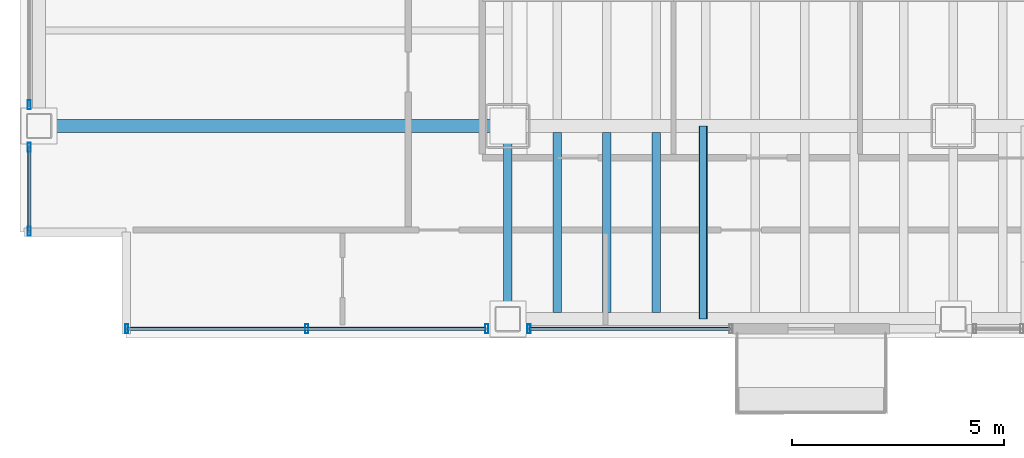
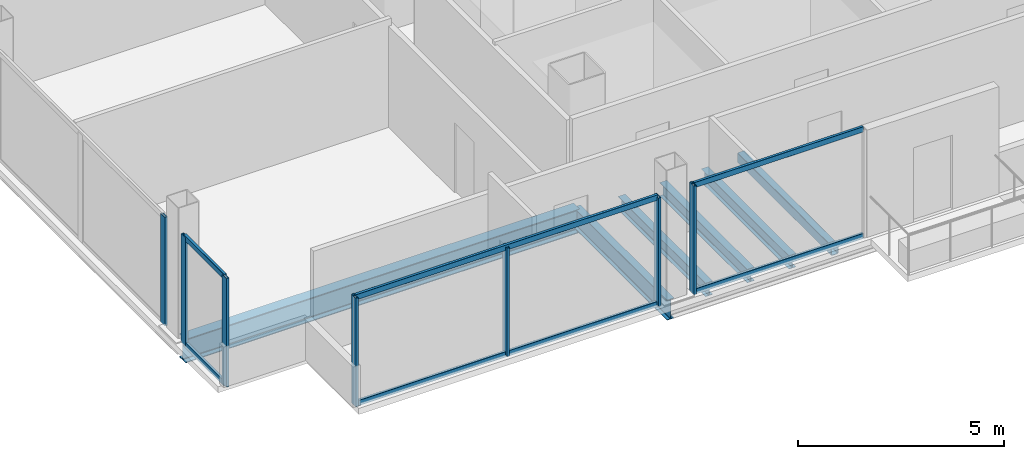
# One storey, part 2 of 21: 13 members, 6 beams, 4 elements without a shape of their own.
"""IFC4 building model written with IfcOpenShell, lengths in metres."""

import ifcopenshell
import ifcopenshell.guid

model = None  # the IFC model being written
_history = None  # IfcOwnerHistory: only IFC2X3 demands one
_inside = {}  # id of a spatial element -> (the spatial element, [elements in it])
_under = {}  # id of a project, library or spatial element -> (it, [spatial elements below it])
_declared = {}  # id of a project -> (the project, [libraries it declares])
_typed = {}  # id of a type object -> (the type object, [elements of that type])
_made_of = {}  # id of a material, layer set ... -> (it, [elements and type objects made of it])


def new_model(schema):
    """Start an empty IFC model of exactly this schema.

    Asked for "IFC4X3", IfcOpenShell would pick the latest addendum, in which some entities
    have other attributes; the version numbers below select the first issue.
    IFC2X3 requires an IfcOwnerHistory on every rooted entity: one is made here for all.
    """
    global model, _history
    if schema == "IFC4X3":
        model = ifcopenshell.file(schema_version=(4, 3, 0, 0))
    else:
        model = ifcopenshell.file(schema=schema)
    _inside.clear()
    _under.clear()
    _declared.clear()
    _typed.clear()
    _made_of.clear()
    _history = None
    if model.schema == "IFC2X3":
        org = make("IfcOrganization", Name="unknown")
        user = make(
            "IfcPersonAndOrganization",
            ThePerson=make("IfcPerson", FamilyName="unknown"),
            TheOrganization=org,
        )
        app = make(
            "IfcApplication",
            ApplicationDeveloper=org,
            Version="unknown",
            ApplicationFullName="unknown",
            ApplicationIdentifier="unknown",
        )
        _history = make(
            "IfcOwnerHistory",
            OwningUser=user,
            OwningApplication=app,
            ChangeAction="ADDED",
            CreationDate=0,
        )
    return model


def make(cls, **values):
    """One entity of the class cls with the attributes given. An attribute that is None is left unset."""
    return model.create_entity(
        cls, **{name: value for name, value in values.items() if value is not None}
    )


def rooted(cls, **values):
    """An entity with a GlobalId (a new one), such as an element, a storey or a relation."""
    return make(cls, GlobalId=ifcopenshell.guid.new(), OwnerHistory=_history, **values)


def si_unit(unit_type, name, prefix=None):
    """IfcSIUnit, for example si_unit("LENGTHUNIT", "METRE", prefix="MILLI")."""
    return make("IfcSIUnit", UnitType=unit_type, Prefix=prefix, Name=name)


def assignment(units):
    """IfcUnitAssignment: the units of a project."""
    return None if units is None else make("IfcUnitAssignment", Units=units)


def point(xyz):
    """IfcCartesianPoint."""
    return None if xyz is None else make("IfcCartesianPoint", Coordinates=xyz)


def direction(xyz):
    """IfcDirection."""
    return None if xyz is None else make("IfcDirection", DirectionRatios=xyz)


def frame(location, z_axis=None, x_axis=None):
    """IfcAxis2Placement3D, a coordinate frame: its origin and axes. An axis left out is left unset."""
    return make(
        "IfcAxis2Placement3D",
        Location=point(location),
        Axis=direction(z_axis),
        RefDirection=direction(x_axis),
    )


def frame_2d(location, x_axis=None):
    """IfcAxis2Placement2D, a coordinate frame in the plane: its origin and x axis."""
    return make(
        "IfcAxis2Placement2D", Location=point(location), RefDirection=direction(x_axis)
    )


def origin():
    """The frame at (0, 0, 0) with its axes left unset."""
    return frame((0.0, 0.0, 0.0))


def origin_2d():
    """The frame at (0, 0) in the plane with its x axis left unset."""
    return frame_2d((0.0, 0.0))


def place(relative_to, where):
    """IfcLocalPlacement: puts the frame where relative to a parent placement (None: the world)."""
    return make(
        "IfcLocalPlacement", PlacementRelTo=relative_to, RelativePlacement=where
    )


def context(
    kind, dimensions, precision=None, world=None, true_north=None, identifier=None
):
    """IfcGeometricRepresentationContext, for example the 3D "Model" context."""
    return make(
        "IfcGeometricRepresentationContext",
        ContextIdentifier=identifier,
        ContextType=kind,
        CoordinateSpaceDimension=dimensions,
        Precision=precision,
        WorldCoordinateSystem=world,
        TrueNorth=true_north,
    )


def subcontext(parent, identifier, kind, view, scale=None):
    """IfcGeometricRepresentationSubContext, for example "Body" below "Model"."""
    return make(
        "IfcGeometricRepresentationSubContext",
        ContextIdentifier=identifier,
        ContextType=kind,
        ParentContext=parent,
        TargetScale=scale,
        TargetView=view,
    )


def project(units=None, contexts=None):
    """IfcProject with its units and contexts."""
    return rooted(
        "IfcProject",
        Name="project",
        RepresentationContexts=contexts,
        UnitsInContext=assignment(units),
    )


def spatial(cls, under=None, at=None, **own):
    """A site, building, storey or space (cls), placed at a placement, below another one or the project."""
    s = rooted(cls, ObjectPlacement=at, **own)
    if under is not None:
        _under.setdefault(under.id(), (under, []))[1].append(s)
    return s


def profile(cls, at=None, kind="AREA", **sizes):
    """A parametric profile (cls). Its sizes go by their IFC names, for example OverallWidth=200.0."""
    return make(cls, ProfileType=kind, Position=at, **sizes)


def hollow_rectangle(**sizes):
    """IfcRectangleHollowProfileDef."""
    return profile("IfcRectangleHollowProfileDef", **sizes)


def i_section(**sizes):
    """IfcIShapeProfileDef."""
    return profile("IfcIShapeProfileDef", **sizes)


def extrude(swept, where, along, depth):
    """IfcExtrudedAreaSolid: the profile swept, set in the frame where, extruded along a direction by depth."""
    return make(
        "IfcExtrudedAreaSolid",
        SweptArea=swept,
        Position=where,
        ExtrudedDirection=direction(along),
        Depth=depth,
    )


def shape(context_of_items, identifier, shape_type, items):
    """IfcShapeRepresentation: the items that make up one representation, for example the "Body"."""
    return make(
        "IfcShapeRepresentation",
        ContextOfItems=context_of_items,
        RepresentationIdentifier=identifier,
        RepresentationType=shape_type,
        Items=items,
    )


def material(Name=None, Category=None):
    """IfcMaterial."""
    return make("IfcMaterial", Name=Name, Category=Category)


def material_profile(
    of_material, cross_section, Name=None, Category=None, Priority=None
):
    """IfcMaterialProfile: a cross section and its material."""
    return make(
        "IfcMaterialProfile",
        Name=Name,
        Material=of_material,
        Profile=cross_section,
        Priority=Priority,
        Category=Category,
    )


def profile_set(profiles, Name=None, composite=None):
    """IfcMaterialProfileSet."""
    return make(
        "IfcMaterialProfileSet",
        Name=Name,
        MaterialProfiles=profiles,
        CompositeProfile=composite,
    )


def made_of(thing, what):
    """Note that an element or type object is made of a material, layer set ...; save() writes the relation."""
    if what is not None:
        _made_of.setdefault(what.id(), (what, []))[1].append(thing)
    return thing


def type_object(cls, material=None, **own):
    """A type object (cls), such as IfcWallType, which elements share."""
    return made_of(rooted(cls, **own), material)


def element(
    cls,
    number,
    at=None,
    inside=None,
    cuts=None,
    type_object=None,
    material=None,
    context=None,
    identifier="Body",
    shape_type=None,
    held_by="IfcProductDefinitionShape",
    body=None,
    shapes=None,
    **own,
):
    """One element of the class cls, such as IfcWall. Its Tag is "e" and its number.

    at: its placement. inside: the storey or other place that contains it. cuts: it is an
    opening in that element (IfcRelVoidsElement). A single representation is given by context,
    identifier, shape_type and body (its items); several are given by shapes. held_by: the class
    of the entity that holds the representations. save() writes the other relations.
    """
    e = rooted(cls, Tag="e%d" % number, ObjectPlacement=at, **own)
    if body is not None:
        shapes = [shape(context, identifier, shape_type, body)]
    if shapes is not None:
        e.Representation = make(held_by, Representations=shapes)
    if inside is not None:
        _inside.setdefault(inside.id(), (inside, []))[1].append(e)
    if cuts is not None:
        rooted(
            "IfcRelVoidsElement", RelatingBuildingElement=cuts, RelatedOpeningElement=e
        )
    if type_object is not None:
        _typed.setdefault(type_object.id(), (type_object, []))[1].append(e)
    return made_of(e, material)


def aggregate(whole, parts):
    """IfcRelAggregates: a whole, such as a stair, and the parts it consists of."""
    return rooted("IfcRelAggregates", RelatingObject=whole, RelatedObjects=parts)


def save(model, path):
    """Write the relations noted so far, then the file.

    IfcRelAggregates (storeys below a building ...), IfcRelContainedInSpatialStructure (elements
    in a storey), IfcRelDefinesByType, IfcRelAssociatesMaterial and IfcRelDeclares: one each for
    every whole, place, type object, material and project.
    """
    for whole, parts in _under.values():
        aggregate(whole, parts)
    for where, things in _inside.values():
        rooted(
            "IfcRelContainedInSpatialStructure",
            RelatedElements=things,
            RelatingStructure=where,
        )
    for kind, things in _typed.values():
        rooted("IfcRelDefinesByType", RelatedObjects=things, RelatingType=kind)
    for what, things in _made_of.values():
        rooted("IfcRelAssociatesMaterial", RelatedObjects=things, RelatingMaterial=what)
    for by, libraries in _declared.values():
        rooted("IfcRelDeclares", RelatingContext=by, RelatedDefinitions=libraries)
    model.write(path)


model = new_model("IFC4")

# Units and contexts
model_context = context("Model", 3, precision=1e-05, world=origin(), true_north=direction((0.0, 1.0)))
body_context = subcontext(model_context, "Body", "Model", "MODEL_VIEW")
ifc_project = project(units=[si_unit("LENGTHUNIT", "METRE"), si_unit("AREAUNIT", "SQUARE_METRE"), si_unit("VOLUMEUNIT", "CUBIC_METRE"), si_unit("PLANEANGLEUNIT", "RADIAN"), si_unit("MASSUNIT", "GRAM", prefix="KILO")], contexts=[model_context])

# Site, building, storey
site_placement = place(None, origin())
site = spatial("IfcSite", under=ifc_project, at=site_placement, CompositionType="ELEMENT")
building_placement = place(site_placement, origin())
building = spatial("IfcBuilding", under=site, at=building_placement, Name="Noeulbin Bourse Tower", CompositionType="ELEMENT")
storey_placement = place(building_placement, frame((0.0, 0.0, 30.39990234375)))
storey = spatial("IfcBuildingStorey", under=building, at=storey_placement, Name="L07", CompositionType="ELEMENT", Elevation=30.39990234375)

# Beams
ifc_material_1 = material(Name="Steel S355", Category="steel")
ifc_material_profile_1 = material_profile(ifc_material_1, hollow_rectangle(XDim=0.199951171875, YDim=0.300048828125, WallThickness=0.011962890625, InnerFilletRadius=0.011962890625, OuterFilletRadius=0.02392578125, at=origin_2d()), Name="RHS-300x200x12", Category="LoadBearing")
ifc_profile_set_1 = profile_set([ifc_material_profile_1], Name="Steel S355")
beam_type_1 = type_object("IfcBeamType", Name="BM-BAL-300", PredefinedType="BEAM", material=ifc_profile_set_1)
beam_1_placement = place(storey_placement, frame((18.10009765625, 15.449951171875, -0.329833984375), z_axis=(0.0, 1.0, 0.0), x_axis=(-1.0, 0.0, 0.0)))
element("IfcBeam", 1, at=beam_1_placement, inside=storey, type_object=beam_type_1, Name="Balcony Back-Span Tie Beam L07", PredefinedType="BEAM", context=body_context, shape_type="SweptSolid", body=[
    extrude(hollow_rectangle(XDim=0.199951171875, YDim=0.300048828125, WallThickness=0.011962890625, InnerFilletRadius=0.011962890625, OuterFilletRadius=0.02392578125, at=origin_2d()), origin(), (0.0, 0.0, 1.0), 4.550048828125),
])
ifc_material_profile_2 = material_profile(ifc_material_1, i_section(OverallWidth=0.199951171875, OverallDepth=0.60009765625, WebThickness=0.010986328125, FlangeThickness=0.01708984375, FilletRadius=0.02197265625, at=origin_2d()), Name="H-600x200x11x17", Category="LoadBearing")
ifc_profile_set_2 = profile_set([ifc_material_profile_2], Name="Steel S355")
beam_type_2 = type_object("IfcBeamType", Name="BM-GRD-600", PredefinedType="USERDEFINED", material=ifc_profile_set_2)
beam_2_placement = place(storey_placement, frame((13.5, 15.449951171875, -0.47998046875), z_axis=(0.0, 1.0, 0.0), x_axis=(-1.0, 0.0, 0.0)))
element("IfcBeam", 2, at=beam_2_placement, inside=storey, type_object=beam_type_2, Name="Tower Primary Girder NS L07-1.1", ObjectType="GIRDER", PredefinedType="USERDEFINED", context=body_context, shape_type="SweptSolid", body=[
    extrude(i_section(OverallWidth=0.199951171875, OverallDepth=0.60009765625, WebThickness=0.010986328125, FlangeThickness=0.01708984375, FilletRadius=0.02197265625, at=origin_2d()), origin(), (0.0, 0.0, 1.0), 4.550048828125),
])
ifc_material_profile_3 = material_profile(ifc_material_1, i_section(OverallWidth=0.300048828125, OverallDepth=0.699951171875, WebThickness=0.012939453125, FlangeThickness=0.02392578125, FilletRadius=0.02392578125, at=origin_2d()), Name="H-700x300x13x24", Category="LoadBearing")
ifc_profile_set_3 = profile_set([ifc_material_profile_3], Name="Steel S355")
beam_type_3 = type_object("IfcBeamType", Name="BM-GRD-700", PredefinedType="USERDEFINED", material=ifc_profile_set_3)
beam_3_placement = place(storey_placement, frame((2.449951171875, 20.0, -0.52978515625), z_axis=(1.0, 0.0, 0.0), x_axis=(0.0, 1.0, 0.0)))
element("IfcBeam", 3, at=beam_3_placement, inside=storey, type_object=beam_type_3, Name="Tower Primary Girder EW L07-1.1", ObjectType="GIRDER", PredefinedType="USERDEFINED", context=body_context, shape_type="SweptSolid", body=[
    extrude(i_section(OverallWidth=0.300048828125, OverallDepth=0.699951171875, WebThickness=0.012939453125, FlangeThickness=0.02392578125, FilletRadius=0.02392578125, at=origin_2d()), origin(), (0.0, 0.0, 1.0), 11.050048828125),
])
ifc_material_profile_4 = material_profile(ifc_material_1, i_section(OverallWidth=0.199951171875, OverallDepth=0.39990234375, WebThickness=0.008056640625, FlangeThickness=0.012939453125, FilletRadius=0.01611328125, at=origin_2d()), Name="H-400x200x8x13", Category="LoadBearing")
ifc_profile_set_4 = profile_set([ifc_material_profile_4], Name="Steel S355")
beam_type_4 = type_object("IfcBeamType", Name="BM-SEC-400", PredefinedType="BEAM", material=ifc_profile_set_4)
for number, where, z_axis, x_axis, name in (
    (4, (14.666748046875, 15.60009765625, -0.3798828125), (0.0, 1.0, 0.0), (-1.0, 0.0, 0.0), "Tower Composite Joist L07-01"),
    (5, (15.833251953125, 15.60009765625, -0.3798828125), (0.0, 1.0, 0.0), (-1.0, 0.0, 0.0), "Tower Composite Joist L07-04"),
    (6, (17.0, 15.60009765625, -0.3798828125), (0.0, 1.0, 0.0), (-1.0, 0.0, 0.0), "Tower Composite Joist L07-07"),
):
    element("IfcBeam", number, at=place(storey_placement, frame(where, z_axis=z_axis, x_axis=x_axis)), inside=storey, type_object=beam_type_4, Name=name, PredefinedType="BEAM", context=body_context, shape_type="SweptSolid", body=[
        extrude(i_section(OverallWidth=0.199951171875, OverallDepth=0.39990234375, WebThickness=0.008056640625, FlangeThickness=0.012939453125, FilletRadius=0.01611328125, at=origin_2d()), origin(), (0.0, 0.0, 1.0), 4.25),
    ])

# Curtain wall, members
ifc_material_2 = material(Name="Dark Solar-Control Double Glazing", Category="glass")
curtain_wall_type = type_object("IfcCurtainWallType", Name="CW-SYS-2", PredefinedType="NOTDEFINED", material=ifc_material_2)
curtain_wall_1_placement = place(storey_placement, origin())
curtain_wall_1 = element("IfcCurtainWall", 7, at=curtain_wall_1_placement, inside=storey, type_object=curtain_wall_type, Name="Unitised Curtain Wall CW-L07-S1-S1", PredefinedType="NOTDEFINED")
ifc_material_3 = material(Name="Anodised Aluminium 6063-T6", Category="aluminium")
ifc_material_profile_5 = material_profile(ifc_material_3, hollow_rectangle(XDim=0.074951171875, YDim=0.219970703125, WallThickness=0.0048828125, InnerFilletRadius=0.00244140625, OuterFilletRadius=0.0048828125, at=origin_2d()), Name="ALU-MULL-75x220x5", Category="LoadBearing")
ifc_profile_set_5 = profile_set([ifc_material_profile_5], Name="Anodised Aluminium 6063-T6")
member_type_1 = type_object("IfcMemberType", Name="CW-SYS-2-MUL", PredefinedType="MULLION", material=ifc_profile_set_5)
member_1_placement = place(storey_placement, frame((4.52001953125, 15.219970703125, -0.02001953125), z_axis=(0.0, 0.0, 1.0), x_axis=(1.0, 0.0, 0.0)))
member_1 = element("IfcMember", 8, at=member_1_placement, type_object=member_type_1, Name="Curtain Wall Mullion CW-L07-S1-S1-M00", PredefinedType="MULLION", context=body_context, shape_type="SweptSolid", body=[
    extrude(hollow_rectangle(XDim=0.074951171875, YDim=0.219970703125, WallThickness=0.0048828125, InnerFilletRadius=0.00244140625, OuterFilletRadius=0.0048828125, at=origin_2d()), origin(), (0.0, 0.0, 1.0), 3.22021484375),
])
member_2_placement = place(storey_placement, frame((8.760009765625, 15.219970703125, -0.02001953125), z_axis=(0.0, 0.0, 1.0), x_axis=(1.0, 0.0, 0.0)))
member_2 = element("IfcMember", 9, at=member_2_placement, type_object=member_type_1, Name="Curtain Wall Mullion CW-L07-S1-S1-M01", PredefinedType="MULLION", context=body_context, shape_type="SweptSolid", body=[
    extrude(hollow_rectangle(XDim=0.074951171875, YDim=0.219970703125, WallThickness=0.0048828125, InnerFilletRadius=0.00244140625, OuterFilletRadius=0.0048828125, at=origin_2d()), origin(), (0.0, 0.0, 1.0), 3.22021484375),
])
member_3_placement = place(storey_placement, frame((13.0, 15.219970703125, -0.02001953125), z_axis=(0.0, 0.0, 1.0), x_axis=(1.0, 0.0, 0.0)))
member_3 = element("IfcMember", 10, at=member_3_placement, type_object=member_type_1, Name="Curtain Wall Mullion CW-L07-S1-S1-M02", PredefinedType="MULLION", context=body_context, shape_type="SweptSolid", body=[
    extrude(hollow_rectangle(XDim=0.074951171875, YDim=0.219970703125, WallThickness=0.0048828125, InnerFilletRadius=0.00244140625, OuterFilletRadius=0.0048828125, at=origin_2d()), origin(), (0.0, 0.0, 1.0), 3.22021484375),
])

# Curtain wall, member
curtain_wall_2_placement = place(storey_placement, origin())
curtain_wall_2 = element("IfcCurtainWall", 11, at=curtain_wall_2_placement, inside=storey, type_object=curtain_wall_type, Name="Unitised Curtain Wall CW-L07-S1-S2", PredefinedType="NOTDEFINED")
member_4_placement = place(storey_placement, frame((14.0, 15.219970703125, -0.02001953125), z_axis=(0.0, 0.0, 1.0), x_axis=(1.0, 0.0, 0.0)))
member_4 = element("IfcMember", 12, at=member_4_placement, type_object=member_type_1, Name="Curtain Wall Mullion CW-L07-S1-S2-M00", PredefinedType="MULLION", context=body_context, shape_type="SweptSolid", body=[
    extrude(hollow_rectangle(XDim=0.074951171875, YDim=0.219970703125, WallThickness=0.0048828125, InnerFilletRadius=0.00244140625, OuterFilletRadius=0.0048828125, at=origin_2d()), origin(), (0.0, 0.0, 1.0), 3.22021484375),
])

# Curtain wall, members
curtain_wall_3_placement = place(storey_placement, origin())
curtain_wall_3 = element("IfcCurtainWall", 13, at=curtain_wall_3_placement, inside=storey, type_object=curtain_wall_type, Name="Unitised Curtain Wall CW-L07-W-S1", PredefinedType="NOTDEFINED")
member_5_placement = place(storey_placement, frame((2.219970703125, 17.52001953125, -0.02001953125), z_axis=(0.0, 0.0, 1.0), x_axis=(1.0, 0.0, 0.0)))
member_5 = element("IfcMember", 14, at=member_5_placement, type_object=member_type_1, Name="Curtain Wall Mullion CW-L07-W-S1-M00", PredefinedType="MULLION", context=body_context, shape_type="SweptSolid", body=[
    extrude(hollow_rectangle(XDim=0.074951171875, YDim=0.219970703125, WallThickness=0.0048828125, InnerFilletRadius=0.00244140625, OuterFilletRadius=0.0048828125, at=origin_2d()), origin(), (0.0, 0.0, 1.0), 3.22021484375),
])
member_6_placement = place(storey_placement, frame((2.219970703125, 19.5, -0.02001953125), z_axis=(0.0, 0.0, 1.0), x_axis=(1.0, 0.0, 0.0)))
member_6 = element("IfcMember", 15, at=member_6_placement, type_object=member_type_1, Name="Curtain Wall Mullion CW-L07-W-S1-M01", PredefinedType="MULLION", context=body_context, shape_type="SweptSolid", body=[
    extrude(hollow_rectangle(XDim=0.074951171875, YDim=0.219970703125, WallThickness=0.0048828125, InnerFilletRadius=0.00244140625, OuterFilletRadius=0.0048828125, at=origin_2d()), origin(), (0.0, 0.0, 1.0), 3.22021484375),
])

# Curtain wall, member
curtain_wall_4_placement = place(storey_placement, origin())
curtain_wall_4 = element("IfcCurtainWall", 16, at=curtain_wall_4_placement, inside=storey, type_object=curtain_wall_type, Name="Unitised Curtain Wall CW-L07-W-S2", PredefinedType="NOTDEFINED")
member_7_placement = place(storey_placement, frame((2.219970703125, 20.5, -0.02001953125), z_axis=(0.0, 0.0, 1.0), x_axis=(1.0, 0.0, 0.0)))
member_7 = element("IfcMember", 17, at=member_7_placement, type_object=member_type_1, Name="Curtain Wall Mullion CW-L07-W-S2-M00", PredefinedType="MULLION", context=body_context, shape_type="SweptSolid", body=[
    extrude(hollow_rectangle(XDim=0.074951171875, YDim=0.219970703125, WallThickness=0.0048828125, InnerFilletRadius=0.00244140625, OuterFilletRadius=0.0048828125, at=origin_2d()), origin(), (0.0, 0.0, 1.0), 3.22021484375),
])
aggregate(curtain_wall_4, [member_7])

# Member
ifc_material_profile_6 = material_profile(ifc_material_3, hollow_rectangle(XDim=0.074951171875, YDim=0.159912109375, WallThickness=0.0048828125, InnerFilletRadius=0.00244140625, OuterFilletRadius=0.0048828125, at=origin_2d()), Name="ALU-TRAN-75x160x5", Category="LoadBearing")
ifc_profile_set_6 = profile_set([ifc_material_profile_6], Name="Anodised Aluminium 6063-T6")
member_type_2 = type_object("IfcMemberType", Name="CW-SYS-2-TRN", PredefinedType="USERDEFINED", material=ifc_profile_set_6)
member_8_placement = place(storey_placement, frame((4.530029296875, 15.219970703125, 0.010009765625), z_axis=(1.0, 0.0, 0.0), x_axis=(0.0, 1.0, 0.0)))
member_8 = element("IfcMember", 18, at=member_8_placement, type_object=member_type_2, Name="Curtain Wall Transom CW-L07-S1-S1-T00", ObjectType="TRANSOM", PredefinedType="USERDEFINED", context=body_context, shape_type="SweptSolid", body=[
    extrude(hollow_rectangle(XDim=0.074951171875, YDim=0.159912109375, WallThickness=0.0048828125, InnerFilletRadius=0.00244140625, OuterFilletRadius=0.0048828125, at=origin_2d()), origin(), (0.0, 0.0, 1.0), 8.4599609375),
])

member_9_placement = place(storey_placement, frame((4.530029296875, 15.219970703125, 3.170166015625), z_axis=(1.0, 0.0, 0.0), x_axis=(0.0, 1.0, 0.0)))
member_9 = element("IfcMember", 19, at=member_9_placement, type_object=member_type_2, Name="Curtain Wall Transom CW-L07-S1-S1-T01", ObjectType="TRANSOM", PredefinedType="USERDEFINED", context=body_context, shape_type="SweptSolid", body=[
    extrude(hollow_rectangle(XDim=0.074951171875, YDim=0.159912109375, WallThickness=0.0048828125, InnerFilletRadius=0.00244140625, OuterFilletRadius=0.0048828125, at=origin_2d()), origin(), (0.0, 0.0, 1.0), 8.4599609375),
])

aggregate(curtain_wall_1, [member_1, member_2, member_3, member_8, member_9])

member_10_placement = place(storey_placement, frame((14.010009765625, 15.219970703125, 0.010009765625), z_axis=(1.0, 0.0, 0.0), x_axis=(0.0, 1.0, 0.0)))
member_10 = element("IfcMember", 20, at=member_10_placement, type_object=member_type_2, Name="Curtain Wall Transom CW-L07-S1-S2-T00", ObjectType="TRANSOM", PredefinedType="USERDEFINED", context=body_context, shape_type="SweptSolid", body=[
    extrude(hollow_rectangle(XDim=0.074951171875, YDim=0.159912109375, WallThickness=0.0048828125, InnerFilletRadius=0.00244140625, OuterFilletRadius=0.0048828125, at=origin_2d()), origin(), (0.0, 0.0, 1.0), 4.739990234375),
])

member_11_placement = place(storey_placement, frame((14.010009765625, 15.219970703125, 3.170166015625), z_axis=(1.0, 0.0, 0.0), x_axis=(0.0, 1.0, 0.0)))
member_11 = element("IfcMember", 21, at=member_11_placement, type_object=member_type_2, Name="Curtain Wall Transom CW-L07-S1-S2-T01", ObjectType="TRANSOM", PredefinedType="USERDEFINED", context=body_context, shape_type="SweptSolid", body=[
    extrude(hollow_rectangle(XDim=0.074951171875, YDim=0.159912109375, WallThickness=0.0048828125, InnerFilletRadius=0.00244140625, OuterFilletRadius=0.0048828125, at=origin_2d()), origin(), (0.0, 0.0, 1.0), 4.739990234375),
])

aggregate(curtain_wall_2, [member_4, member_10, member_11])

member_12_placement = place(storey_placement, frame((2.219970703125, 17.530029296875, 0.010009765625), z_axis=(0.0, 1.0, 0.0), x_axis=(-1.0, 0.0, 0.0)))
member_12 = element("IfcMember", 22, at=member_12_placement, type_object=member_type_2, Name="Curtain Wall Transom CW-L07-W-S1-T00", ObjectType="TRANSOM", PredefinedType="USERDEFINED", context=body_context, shape_type="SweptSolid", body=[
    extrude(hollow_rectangle(XDim=0.074951171875, YDim=0.159912109375, WallThickness=0.0048828125, InnerFilletRadius=0.00244140625, OuterFilletRadius=0.0048828125, at=origin_2d()), origin(), (0.0, 0.0, 1.0), 1.9599609375),
])

member_13_placement = place(storey_placement, frame((2.219970703125, 17.530029296875, 3.170166015625), z_axis=(0.0, 1.0, 0.0), x_axis=(-1.0, 0.0, 0.0)))
member_13 = element("IfcMember", 23, at=member_13_placement, type_object=member_type_2, Name="Curtain Wall Transom CW-L07-W-S1-T01", ObjectType="TRANSOM", PredefinedType="USERDEFINED", context=body_context, shape_type="SweptSolid", body=[
    extrude(hollow_rectangle(XDim=0.074951171875, YDim=0.159912109375, WallThickness=0.0048828125, InnerFilletRadius=0.00244140625, OuterFilletRadius=0.0048828125, at=origin_2d()), origin(), (0.0, 0.0, 1.0), 1.9599609375),
])

aggregate(curtain_wall_3, [member_5, member_6, member_12, member_13])

save(model, "model.ifc")
